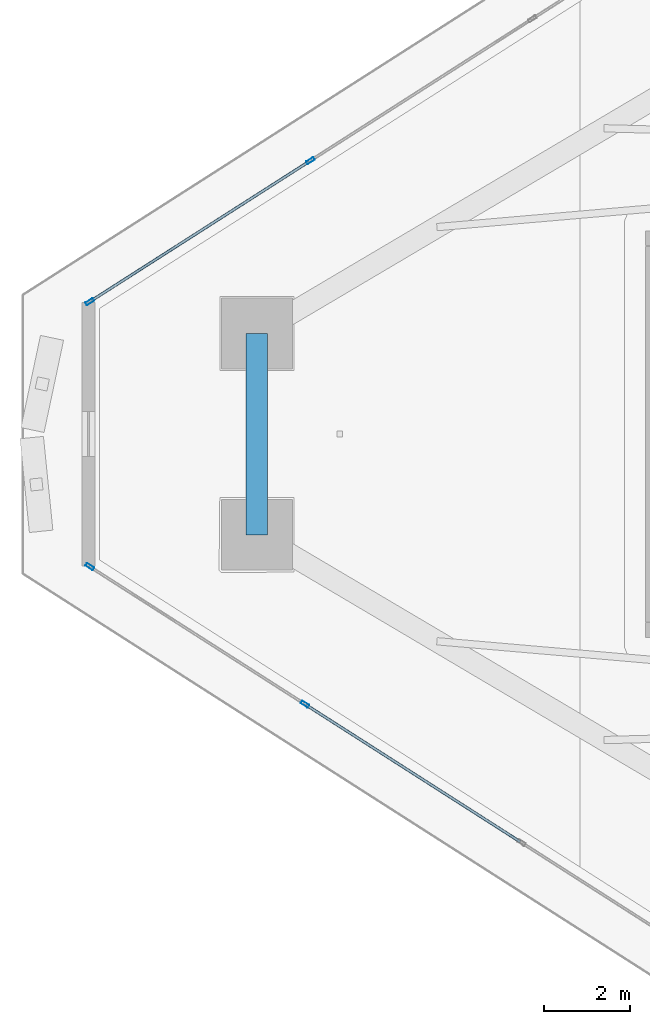
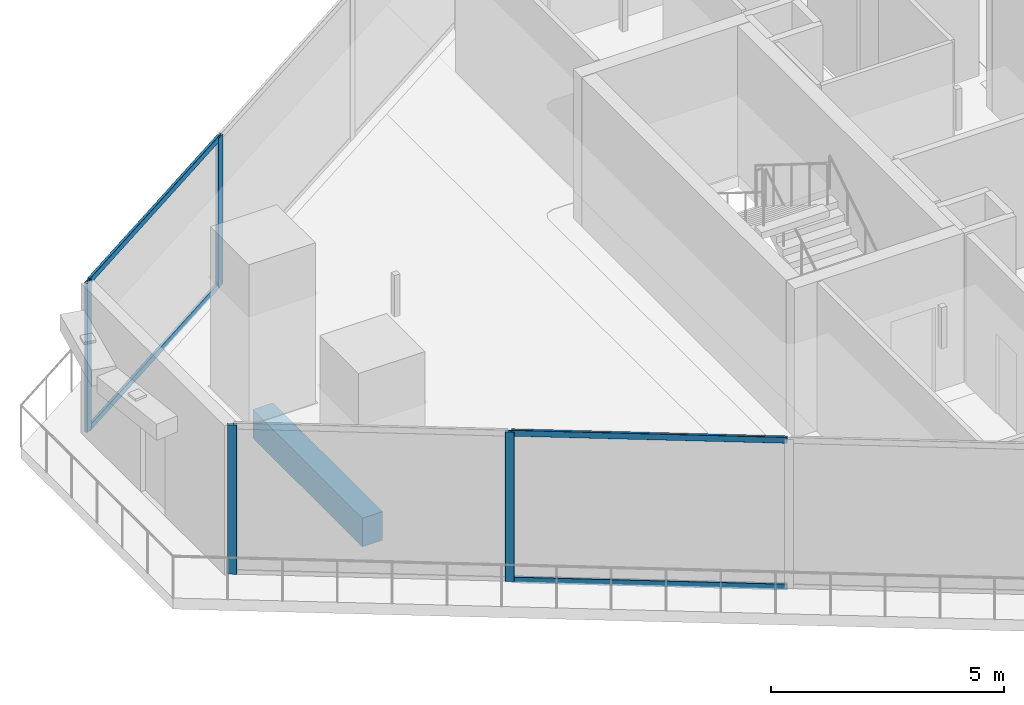
# One storey, part 5 of 31: 8 members, 1 beam, 2 elements without a shape of their own.
"""IFC4 building model written with IfcOpenShell, lengths in metres."""

import ifcopenshell
import ifcopenshell.guid

model = None  # the IFC model being written
_history = None  # IfcOwnerHistory: only IFC2X3 demands one
_inside = {}  # id of a spatial element -> (the spatial element, [elements in it])
_under = {}  # id of a project, library or spatial element -> (it, [spatial elements below it])
_declared = {}  # id of a project -> (the project, [libraries it declares])
_typed = {}  # id of a type object -> (the type object, [elements of that type])
_made_of = {}  # id of a material, layer set ... -> (it, [elements and type objects made of it])


def new_model(schema):
    """Start an empty IFC model of exactly this schema.

    Asked for "IFC4X3", IfcOpenShell would pick the latest addendum, in which some entities
    have other attributes; the version numbers below select the first issue.
    IFC2X3 requires an IfcOwnerHistory on every rooted entity: one is made here for all.
    """
    global model, _history
    if schema == "IFC4X3":
        model = ifcopenshell.file(schema_version=(4, 3, 0, 0))
    else:
        model = ifcopenshell.file(schema=schema)
    _inside.clear()
    _under.clear()
    _declared.clear()
    _typed.clear()
    _made_of.clear()
    _history = None
    if model.schema == "IFC2X3":
        org = make("IfcOrganization", Name="unknown")
        user = make(
            "IfcPersonAndOrganization",
            ThePerson=make("IfcPerson", FamilyName="unknown"),
            TheOrganization=org,
        )
        app = make(
            "IfcApplication",
            ApplicationDeveloper=org,
            Version="unknown",
            ApplicationFullName="unknown",
            ApplicationIdentifier="unknown",
        )
        _history = make(
            "IfcOwnerHistory",
            OwningUser=user,
            OwningApplication=app,
            ChangeAction="ADDED",
            CreationDate=0,
        )
    return model


def make(cls, **values):
    """One entity of the class cls with the attributes given. An attribute that is None is left unset."""
    return model.create_entity(
        cls, **{name: value for name, value in values.items() if value is not None}
    )


def rooted(cls, **values):
    """An entity with a GlobalId (a new one), such as an element, a storey or a relation."""
    return make(cls, GlobalId=ifcopenshell.guid.new(), OwnerHistory=_history, **values)


def si_unit(unit_type, name, prefix=None):
    """IfcSIUnit, for example si_unit("LENGTHUNIT", "METRE", prefix="MILLI")."""
    return make("IfcSIUnit", UnitType=unit_type, Prefix=prefix, Name=name)


def assignment(units):
    """IfcUnitAssignment: the units of a project."""
    return None if units is None else make("IfcUnitAssignment", Units=units)


def point(xyz):
    """IfcCartesianPoint."""
    return None if xyz is None else make("IfcCartesianPoint", Coordinates=xyz)


def direction(xyz):
    """IfcDirection."""
    return None if xyz is None else make("IfcDirection", DirectionRatios=xyz)


def frame(location, z_axis=None, x_axis=None):
    """IfcAxis2Placement3D, a coordinate frame: its origin and axes. An axis left out is left unset."""
    return make(
        "IfcAxis2Placement3D",
        Location=point(location),
        Axis=direction(z_axis),
        RefDirection=direction(x_axis),
    )


def frame_2d(location, x_axis=None):
    """IfcAxis2Placement2D, a coordinate frame in the plane: its origin and x axis."""
    return make(
        "IfcAxis2Placement2D", Location=point(location), RefDirection=direction(x_axis)
    )


def origin():
    """The frame at (0, 0, 0) with its axes left unset."""
    return frame((0.0, 0.0, 0.0))


def origin_2d():
    """The frame at (0, 0) in the plane with its x axis left unset."""
    return frame_2d((0.0, 0.0))


def place(relative_to, where):
    """IfcLocalPlacement: puts the frame where relative to a parent placement (None: the world)."""
    return make(
        "IfcLocalPlacement", PlacementRelTo=relative_to, RelativePlacement=where
    )


def context(
    kind, dimensions, precision=None, world=None, true_north=None, identifier=None
):
    """IfcGeometricRepresentationContext, for example the 3D "Model" context."""
    return make(
        "IfcGeometricRepresentationContext",
        ContextIdentifier=identifier,
        ContextType=kind,
        CoordinateSpaceDimension=dimensions,
        Precision=precision,
        WorldCoordinateSystem=world,
        TrueNorth=true_north,
    )


def subcontext(parent, identifier, kind, view, scale=None):
    """IfcGeometricRepresentationSubContext, for example "Body" below "Model"."""
    return make(
        "IfcGeometricRepresentationSubContext",
        ContextIdentifier=identifier,
        ContextType=kind,
        ParentContext=parent,
        TargetScale=scale,
        TargetView=view,
    )


def project(units=None, contexts=None):
    """IfcProject with its units and contexts."""
    return rooted(
        "IfcProject",
        Name="project",
        RepresentationContexts=contexts,
        UnitsInContext=assignment(units),
    )


def spatial(cls, under=None, at=None, **own):
    """A site, building, storey or space (cls), placed at a placement, below another one or the project."""
    s = rooted(cls, ObjectPlacement=at, **own)
    if under is not None:
        _under.setdefault(under.id(), (under, []))[1].append(s)
    return s


def profile(cls, at=None, kind="AREA", **sizes):
    """A parametric profile (cls). Its sizes go by their IFC names, for example OverallWidth=200.0."""
    return make(cls, ProfileType=kind, Position=at, **sizes)


def rectangle(**sizes):
    """IfcRectangleProfileDef."""
    return profile("IfcRectangleProfileDef", **sizes)


def hollow_rectangle(**sizes):
    """IfcRectangleHollowProfileDef."""
    return profile("IfcRectangleHollowProfileDef", **sizes)


def extrude(swept, where, along, depth):
    """IfcExtrudedAreaSolid: the profile swept, set in the frame where, extruded along a direction by depth."""
    return make(
        "IfcExtrudedAreaSolid",
        SweptArea=swept,
        Position=where,
        ExtrudedDirection=direction(along),
        Depth=depth,
    )


def shape(context_of_items, identifier, shape_type, items):
    """IfcShapeRepresentation: the items that make up one representation, for example the "Body"."""
    return make(
        "IfcShapeRepresentation",
        ContextOfItems=context_of_items,
        RepresentationIdentifier=identifier,
        RepresentationType=shape_type,
        Items=items,
    )


def material(Name=None, Category=None):
    """IfcMaterial."""
    return make("IfcMaterial", Name=Name, Category=Category)


def layer(
    of_material, thickness, ventilated=None, Name=None, Category=None, Priority=None
):
    """IfcMaterialLayer: one layer of a wall or slab, of a material (None: an air gap)."""
    return make(
        "IfcMaterialLayer",
        Material=of_material,
        LayerThickness=thickness,
        IsVentilated=ventilated,
        Name=Name,
        Category=Category,
        Priority=Priority,
    )


def layer_set(layers, Name=None):
    """IfcMaterialLayerSet."""
    return make("IfcMaterialLayerSet", MaterialLayers=layers, LayerSetName=Name)


def material_profile(
    of_material, cross_section, Name=None, Category=None, Priority=None
):
    """IfcMaterialProfile: a cross section and its material."""
    return make(
        "IfcMaterialProfile",
        Name=Name,
        Material=of_material,
        Profile=cross_section,
        Priority=Priority,
        Category=Category,
    )


def profile_set(profiles, Name=None, composite=None):
    """IfcMaterialProfileSet."""
    return make(
        "IfcMaterialProfileSet",
        Name=Name,
        MaterialProfiles=profiles,
        CompositeProfile=composite,
    )


def made_of(thing, what):
    """Note that an element or type object is made of a material, layer set ...; save() writes the relation."""
    if what is not None:
        _made_of.setdefault(what.id(), (what, []))[1].append(thing)
    return thing


def type_object(cls, material=None, **own):
    """A type object (cls), such as IfcWallType, which elements share."""
    return made_of(rooted(cls, **own), material)


def element(
    cls,
    number,
    at=None,
    inside=None,
    cuts=None,
    type_object=None,
    material=None,
    context=None,
    identifier="Body",
    shape_type=None,
    held_by="IfcProductDefinitionShape",
    body=None,
    shapes=None,
    **own,
):
    """One element of the class cls, such as IfcWall. Its Tag is "e" and its number.

    at: its placement. inside: the storey or other place that contains it. cuts: it is an
    opening in that element (IfcRelVoidsElement). A single representation is given by context,
    identifier, shape_type and body (its items); several are given by shapes. held_by: the class
    of the entity that holds the representations. save() writes the other relations.
    """
    e = rooted(cls, Tag="e%d" % number, ObjectPlacement=at, **own)
    if body is not None:
        shapes = [shape(context, identifier, shape_type, body)]
    if shapes is not None:
        e.Representation = make(held_by, Representations=shapes)
    if inside is not None:
        _inside.setdefault(inside.id(), (inside, []))[1].append(e)
    if cuts is not None:
        rooted(
            "IfcRelVoidsElement", RelatingBuildingElement=cuts, RelatedOpeningElement=e
        )
    if type_object is not None:
        _typed.setdefault(type_object.id(), (type_object, []))[1].append(e)
    return made_of(e, material)


def aggregate(whole, parts):
    """IfcRelAggregates: a whole, such as a stair, and the parts it consists of."""
    return rooted("IfcRelAggregates", RelatingObject=whole, RelatedObjects=parts)


def save(model, path):
    """Write the relations noted so far, then the file.

    IfcRelAggregates (storeys below a building ...), IfcRelContainedInSpatialStructure (elements
    in a storey), IfcRelDefinesByType, IfcRelAssociatesMaterial and IfcRelDeclares: one each for
    every whole, place, type object, material and project.
    """
    for whole, parts in _under.values():
        aggregate(whole, parts)
    for where, things in _inside.values():
        rooted(
            "IfcRelContainedInSpatialStructure",
            RelatedElements=things,
            RelatingStructure=where,
        )
    for kind, things in _typed.values():
        rooted("IfcRelDefinesByType", RelatedObjects=things, RelatingType=kind)
    for what, things in _made_of.values():
        rooted("IfcRelAssociatesMaterial", RelatedObjects=things, RelatingMaterial=what)
    for by, libraries in _declared.values():
        rooted("IfcRelDeclares", RelatingContext=by, RelatedDefinitions=libraries)
    model.write(path)


model = new_model("IFC4")

# Units and contexts
model_context = context("Model", 3, precision=1e-05, world=origin(), true_north=direction((0.0, 1.0)))
body_context = subcontext(model_context, "Body", "Model", "MODEL_VIEW")
ifc_project = project(units=[si_unit("LENGTHUNIT", "METRE"), si_unit("AREAUNIT", "SQUARE_METRE"), si_unit("VOLUMEUNIT", "CUBIC_METRE"), si_unit("PLANEANGLEUNIT", "RADIAN"), si_unit("MASSUNIT", "GRAM", prefix="KILO")], contexts=[model_context])

# Site, building, storey
site_placement = place(None, origin())
site = spatial("IfcSite", under=ifc_project, at=site_placement, CompositionType="ELEMENT")
building_placement = place(site_placement, origin())
building = spatial("IfcBuilding", under=site, at=building_placement, Name="Qorvath Tower", CompositionType="ELEMENT")
storey_placement = place(building_placement, frame((0.0, 0.0, 259.800048828125)))
storey = spatial("IfcBuildingStorey", under=building, at=storey_placement, Name="L60", CompositionType="ELEMENT", Elevation=259.800048828125)

# Beam
ifc_material_1 = material(Name="Concrete C45/55", Category="concrete")
ifc_material_profile_1 = material_profile(ifc_material_1, rectangle(XDim=0.5, YDim=0.75, at=origin_2d()), Name="RCB 750x500")
ifc_profile_set_1 = profile_set([ifc_material_profile_1], Name="Concrete C45/55")
beam_type = type_object("IfcBeamType", Name="BM-RCB3", PredefinedType="SPANDREL", material=ifc_profile_set_1)
beam_placement = place(storey_placement, frame((-47.53759765625, 2.349609375, -0.6650390625), z_axis=(0.0, -1.0, 0.0), x_axis=(1.0, 0.0, 0.0)))
element("IfcBeam", 1, at=beam_placement, inside=storey, type_object=beam_type, Name="Perimeter Loggia Frame Beam MC1-MC2 L60", PredefinedType="SPANDREL", context=body_context, shape_type="SweptSolid", body=[
    extrude(rectangle(XDim=0.5, YDim=0.75, at=origin_2d()), origin(), (0.0, 0.0, 1.0), 4.69921875),
])

# Curtain wall, members
ifc_material_2 = material(Name="Anodised aluminium and triple low-E glass", Category="aluminium")
ifc_layer = layer(ifc_material_2, 0.179931640625)
ifc_layer_set = layer_set([ifc_layer], Name="CW-SYS-4")
curtain_wall_type = type_object("IfcCurtainWallType", Name="CW-SYS-4", PredefinedType="NOTDEFINED", material=ifc_layer_set)
curtain_wall_1_placement = place(storey_placement, origin())
curtain_wall_1 = element("IfcCurtainWall", 2, at=curtain_wall_1_placement, inside=storey, type_object=curtain_wall_type, Name="Curtain Wall CW-4 CW-T-L60-2.1", PredefinedType="NOTDEFINED")
ifc_material_3 = material(Name="Anodised aluminium 6063-T6", Category="aluminium")
ifc_material_profile_2 = material_profile(ifc_material_3, hollow_rectangle(XDim=0.074951171875, YDim=0.199951171875, WallThickness=0.00390625, InnerFilletRadius=0.00390625, OuterFilletRadius=0.008056640625, at=origin_2d()), Name="CWM 200x75")
ifc_profile_set_2 = profile_set([ifc_material_profile_2], Name="Anodised aluminium 6063-T6")
member_type_1 = type_object("IfcMemberType", Name="CWM-200", PredefinedType="MULLION", material=ifc_profile_set_2)
member_1_placement = place(storey_placement, frame((-51.439697265625, -3.094482421875, 0.0), z_axis=(0.0, 0.0, 1.0), x_axis=(0.538528809945, 0.84260709756, 0.0)))
member_1 = element("IfcMember", 3, at=member_1_placement, type_object=member_type_1, Name="CW-4 mullion 1", PredefinedType="MULLION", context=body_context, shape_type="SweptSolid", body=[
    extrude(hollow_rectangle(XDim=0.074951171875, YDim=0.199951171875, WallThickness=0.00390625, InnerFilletRadius=0.00390625, OuterFilletRadius=0.008056640625, at=origin_2d()), origin(), (0.0, 0.0, 1.0), 3.909912109375),
])
member_2_placement = place(storey_placement, frame((-46.416748046875, -6.3046875, 0.0), z_axis=(0.0, 0.0, 1.0), x_axis=(0.538528809945, 0.84260709756, 0.0)))
member_2 = element("IfcMember", 4, at=member_2_placement, type_object=member_type_1, Name="CW-4 mullion 2", PredefinedType="MULLION", context=body_context, shape_type="SweptSolid", body=[
    extrude(hollow_rectangle(XDim=0.074951171875, YDim=0.199951171875, WallThickness=0.00390625, InnerFilletRadius=0.00390625, OuterFilletRadius=0.008056640625, at=origin_2d()), origin(), (0.0, 0.0, 1.0), 3.909912109375),
])

curtain_wall_2_placement = place(storey_placement, origin())
curtain_wall_2 = element("IfcCurtainWall", 5, at=curtain_wall_2_placement, inside=storey, type_object=curtain_wall_type, Name="Curtain Wall CW-4 CW-T-L60-16.3", PredefinedType="NOTDEFINED")
member_3_placement = place(storey_placement, frame((-46.288818359375, 6.386474609375, 0.0), z_axis=(0.0, 0.0, 1.0), x_axis=(0.538533165876, -0.842604313573, 0.0)))
member_3 = element("IfcMember", 6, at=member_3_placement, type_object=member_type_1, Name="CW-4 mullion 3", PredefinedType="MULLION", context=body_context, shape_type="SweptSolid", body=[
    extrude(hollow_rectangle(XDim=0.074951171875, YDim=0.199951171875, WallThickness=0.00390625, InnerFilletRadius=0.00390625, OuterFilletRadius=0.008056640625, at=origin_2d()), origin(), (0.0, 0.0, 1.0), 3.909912109375),
])
member_4_placement = place(storey_placement, frame((-51.439697265625, 3.094482421875, 0.0), z_axis=(0.0, 0.0, 1.0), x_axis=(0.538533165876, -0.842604313573, 0.0)))
member_4 = element("IfcMember", 7, at=member_4_placement, type_object=member_type_1, Name="CW-4 mullion 4", PredefinedType="MULLION", context=body_context, shape_type="SweptSolid", body=[
    extrude(hollow_rectangle(XDim=0.074951171875, YDim=0.199951171875, WallThickness=0.00390625, InnerFilletRadius=0.00390625, OuterFilletRadius=0.008056640625, at=origin_2d()), origin(), (0.0, 0.0, 1.0), 3.909912109375),
])

# Member
ifc_material_4 = material(Name="Anodised aluminium 6063-T6", Category="aluminium")
ifc_material_profile_3 = material_profile(ifc_material_4, hollow_rectangle(XDim=0.06494140625, YDim=0.159912109375, WallThickness=0.00341796875, InnerFilletRadius=0.00341796875, OuterFilletRadius=0.007080078125, at=origin_2d()), Name="CWT 160x65")
ifc_profile_set_3 = profile_set([ifc_material_profile_3], Name="Anodised aluminium 6063-T6")
member_type_2 = type_object("IfcMemberType", Name="CWT-160", PredefinedType="USERDEFINED", material=ifc_profile_set_3)
member_5_placement = place(storey_placement, frame((-46.38525390625, -6.32470703125, 0.032470703125), z_axis=(0.842592360617, -0.538551867354, 0.0), x_axis=(0.538551867354, 0.842592360617, 0.0)))
member_5 = element("IfcMember", 8, at=member_5_placement, type_object=member_type_2, Name="CW-4 transom 2.1", ObjectType="TRANSOM", PredefinedType="USERDEFINED", context=body_context, shape_type="SweptSolid", body=[
    extrude(hollow_rectangle(XDim=0.06494140625, YDim=0.159912109375, WallThickness=0.00341796875, InnerFilletRadius=0.00341796875, OuterFilletRadius=0.007080078125, at=origin_2d()), origin(), (0.0, 0.0, 1.0), 5.923583984375),
])

member_6_placement = place(storey_placement, frame((-46.38525390625, -6.32470703125, 3.87744140625), z_axis=(0.842592360617, -0.538551867354, 0.0), x_axis=(0.538551867354, 0.842592360617, 0.0)))
member_6 = element("IfcMember", 9, at=member_6_placement, type_object=member_type_2, Name="CW-4 transom 2.2", ObjectType="TRANSOM", PredefinedType="USERDEFINED", context=body_context, shape_type="SweptSolid", body=[
    extrude(hollow_rectangle(XDim=0.06494140625, YDim=0.159912109375, WallThickness=0.00341796875, InnerFilletRadius=0.00341796875, OuterFilletRadius=0.007080078125, at=origin_2d()), origin(), (0.0, 0.0, 1.0), 5.923583984375),
])

aggregate(curtain_wall_1, [member_1, member_2, member_5, member_6])

member_7_placement = place(storey_placement, frame((-46.3203125, 6.3662109375, 0.032470703125), z_axis=(-0.842600955665, -0.538538419718, 0.0), x_axis=(0.538538419718, -0.842600955665, 0.0)))
member_7 = element("IfcMember", 10, at=member_7_placement, type_object=member_type_2, Name="CW-4 transom 3.1", ObjectType="TRANSOM", PredefinedType="USERDEFINED", context=body_context, shape_type="SweptSolid", body=[
    extrude(hollow_rectangle(XDim=0.06494140625, YDim=0.159912109375, WallThickness=0.00341796875, InnerFilletRadius=0.00341796875, OuterFilletRadius=0.007080078125, at=origin_2d()), origin(), (0.0, 0.0, 1.0), 6.0380859375),
])

member_8_placement = place(storey_placement, frame((-46.3203125, 6.3662109375, 3.87744140625), z_axis=(-0.842600955665, -0.538538419718, 0.0), x_axis=(0.538538419718, -0.842600955665, 0.0)))
member_8 = element("IfcMember", 11, at=member_8_placement, type_object=member_type_2, Name="CW-4 transom 3.2", ObjectType="TRANSOM", PredefinedType="USERDEFINED", context=body_context, shape_type="SweptSolid", body=[
    extrude(hollow_rectangle(XDim=0.06494140625, YDim=0.159912109375, WallThickness=0.00341796875, InnerFilletRadius=0.00341796875, OuterFilletRadius=0.007080078125, at=origin_2d()), origin(), (0.0, 0.0, 1.0), 6.0380859375),
])

aggregate(curtain_wall_2, [member_3, member_4, member_7, member_8])

save(model, "model.ifc")
